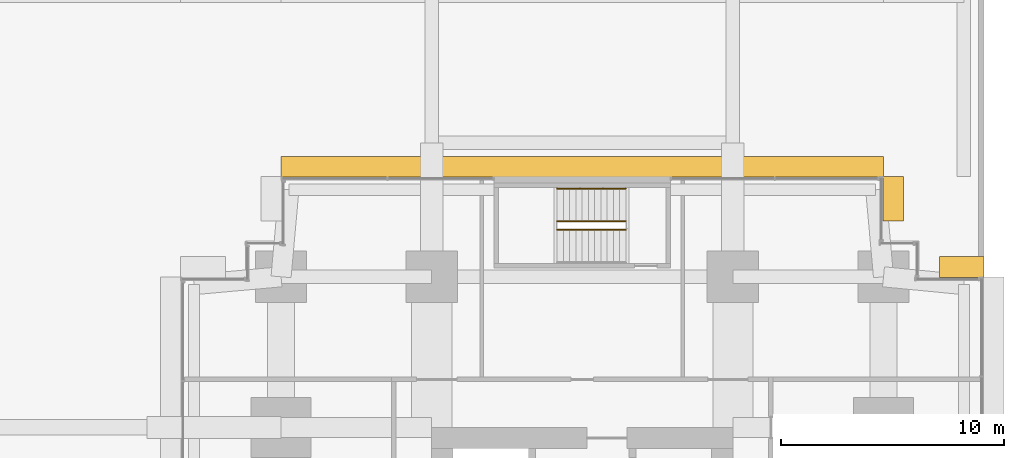
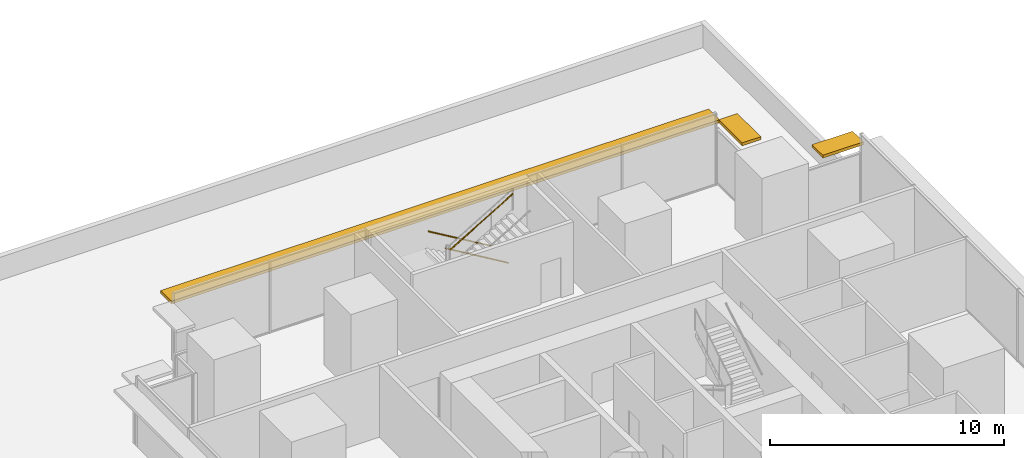
# One storey, part 34 of 34: 3 railings, 3 shading devices.
"""IFC4 building model written with IfcOpenShell, lengths in metres."""

from ifc_helpers import new_model, si_unit, direction, frame, origin, origin_2d, place, context, subcontext, project, spatial, rectangle, circle, extrude, material, layer, layer_set, type_object, element, save


model = new_model("IFC4")

# Units and contexts
model_context = context("Model", 3, precision=1e-05, world=origin(), true_north=direction((0.0, 1.0)))
body_context = subcontext(model_context, "Body", "Model", "MODEL_VIEW")
ifc_project = project(units=[si_unit("LENGTHUNIT", "METRE"), si_unit("AREAUNIT", "SQUARE_METRE"), si_unit("VOLUMEUNIT", "CUBIC_METRE"), si_unit("PLANEANGLEUNIT", "RADIAN"), si_unit("MASSUNIT", "GRAM", prefix="KILO")], contexts=[model_context])

# Site, building, storey
site_placement = place(None, origin())
site = spatial("IfcSite", under=ifc_project, at=site_placement, CompositionType="ELEMENT")
building_placement = place(site_placement, origin())
building = spatial("IfcBuilding", under=site, at=building_placement, Name="Namib Vertical Campus", CompositionType="ELEMENT")
storey_placement = place(building_placement, frame((0.0, 0.0, 21.0)))
storey = spatial("IfcBuildingStorey", under=building, at=storey_placement, Name="L04", CompositionType="ELEMENT", Elevation=21.0)

# Railings
ifc_material_1 = material(Name="Steel handrail", Category="steel")
railing_type = type_object("IfcRailingType", Name="Handrail 900", PredefinedType="HANDRAIL", material=ifc_material_1)
railing_1_placement = place(storey_placement, frame((82.949951171875, 39.949951171875, 0.166748046875)))
element("IfcRailing", 1, at=railing_1_placement, inside=storey, type_object=railing_type, Name="Handrail HR1 B-S3 L04 1", PredefinedType="HANDRAIL", context=body_context, shape_type="SweptSolid", body=[
    extrude(circle(Radius=0.02392578125, at=origin_2d()), frame((0.0, 0.0, 0.8759765625), z_axis=(-0.859290745958, 0.0, 0.51148745235), x_axis=(0.0, -1.0, 0.0)), (0.0, 0.0, 1.0), 3.584228515625),
    extrude(circle(Radius=0.008056640625, at=origin_2d()), frame((0.0, 0.0, 0.8759765625), z_axis=(0.0, 1.0, 0.0), x_axis=(0.0, 0.0, 1.0)), (0.0, 0.0, 1.0), 0.050048828125),
    extrude(circle(Radius=0.008056640625, at=origin_2d()), frame((-1.026611328125, 0.0, 1.48681640625), z_axis=(0.0, 1.0, 0.0), x_axis=(0.0, 0.0, 1.0)), (0.0, 0.0, 1.0), 0.050048828125),
    extrude(circle(Radius=0.008056640625, at=origin_2d()), frame((-2.05322265625, 0.0, 2.09814453125), z_axis=(0.0, 1.0, 0.0), x_axis=(0.0, 0.0, 1.0)), (0.0, 0.0, 1.0), 0.050048828125),
    extrude(circle(Radius=0.008056640625, at=origin_2d()), frame((-3.079833984375, 0.0, 2.708984375), z_axis=(0.0, 1.0, 0.0), x_axis=(0.0, 0.0, 1.0)), (0.0, 0.0, 1.0), 0.050048828125),
])
railing_2_placement = place(storey_placement, frame((82.949951171875, 38.5, 0.166748046875)))
element("IfcRailing", 2, at=railing_2_placement, inside=storey, type_object=railing_type, Name="Handrail HR1 B-S3 L04 1 at the well", PredefinedType="HANDRAIL", context=body_context, shape_type="SweptSolid", body=[
    extrude(circle(Radius=0.02392578125, at=origin_2d()), frame((0.0, 0.0, 0.8759765625), z_axis=(-0.859290745958, 0.0, 0.51148745235), x_axis=(0.0, -1.0, 0.0)), (0.0, 0.0, 1.0), 3.584228515625),
    extrude(circle(Radius=0.008056640625, at=origin_2d()), frame((0.0, 0.0, 0.8759765625), z_axis=(0.0, -1.0, 0.0), x_axis=(0.0, 0.0, 1.0)), (0.0, 0.0, 1.0), 0.0400390625),
    extrude(circle(Radius=0.008056640625, at=origin_2d()), frame((-1.026611328125, 0.0, 1.48681640625), z_axis=(0.0, -1.0, 0.0), x_axis=(0.0, 0.0, 1.0)), (0.0, 0.0, 1.0), 0.0400390625),
    extrude(circle(Radius=0.008056640625, at=origin_2d()), frame((-2.05322265625, 0.0, 2.09814453125), z_axis=(0.0, -1.0, 0.0), x_axis=(0.0, 0.0, 1.0)), (0.0, 0.0, 1.0), 0.0400390625),
    extrude(circle(Radius=0.008056640625, at=origin_2d()), frame((-3.079833984375, 0.0, 2.708984375), z_axis=(0.0, -1.0, 0.0), x_axis=(0.0, 0.0, 1.0)), (0.0, 0.0, 1.0), 0.0400390625),
])
railing_3_placement = place(storey_placement, frame((79.8701171875, 38.10009765625, 2.166748046875)))
element("IfcRailing", 3, at=railing_3_placement, inside=storey, type_object=railing_type, Name="Handrail HR1 B-S3 L04 2 at the well", PredefinedType="HANDRAIL", context=body_context, shape_type="SweptSolid", body=[
    extrude(circle(Radius=0.02392578125, at=origin_2d()), frame((0.0, 0.0, 0.8759765625), z_axis=(0.859290745958, 0.0, 0.51148745235), x_axis=(0.0, 1.0, 0.0)), (0.0, 0.0, 1.0), 3.584228515625),
    extrude(circle(Radius=0.008056640625, at=origin_2d()), frame((0.0, 0.0, 0.8759765625), z_axis=(0.0, 1.0, 0.0), x_axis=(0.0, 0.0, 1.0)), (0.0, 0.0, 1.0), 0.0400390625),
    extrude(circle(Radius=0.008056640625, at=origin_2d()), frame((1.026611328125, 0.0, 1.48681640625), z_axis=(0.0, 1.0, 0.0), x_axis=(0.0, 0.0, 1.0)), (0.0, 0.0, 1.0), 0.0400390625),
    extrude(circle(Radius=0.008056640625, at=origin_2d()), frame((2.05322265625, 0.0, 2.09814453125), z_axis=(0.0, 1.0, 0.0), x_axis=(0.0, 0.0, 1.0)), (0.0, 0.0, 1.0), 0.0400390625),
    extrude(circle(Radius=0.008056640625, at=origin_2d()), frame((3.079833984375, 0.0, 2.708984375), z_axis=(0.0, 1.0, 0.0), x_axis=(0.0, 0.0, 1.0)), (0.0, 0.0, 1.0), 0.0400390625),
])

# Shading devices
ifc_material_2 = material(Name="Concrete C40/50 precast", Category="concrete")
ifc_layer = layer(ifc_material_2, 0.14990234375)
ifc_layer_set = layer_set([ifc_layer], Name="Concrete C40/50 precast")
shading_device_type = type_object("IfcShadingDeviceType", Name="Sunshade hood 900", PredefinedType="SHUTTER", material=ifc_layer_set)
for number, where, z_axis, x_axis, name in (
    (4, (98.0, 36.43994140625, 3.10009765625), (0.0, 0.0, 1.0), (-1.0, 0.0, 0.0), "Sunshade SH1 L04 7"),
    (5, (94.93994140625, 39.5, 3.10009765625), (0.0, 0.0, 1.0), (0.0, 1.0, 0.0), "Sunshade SH1 L04 10"),
):
    element("IfcShadingDevice", number, at=place(storey_placement, frame(where, z_axis=z_axis, x_axis=x_axis)), inside=storey, type_object=shading_device_type, Name=name, PredefinedType="SHUTTER", context=body_context, shape_type="SweptSolid", body=[
        extrude(rectangle(XDim=2.0, YDim=0.919921875, at=origin_2d()), origin(), (0.0, 0.0, 1.0), 0.14990234375),
    ])
shading_device_placement = place(storey_placement, frame((81.0, 40.93994140625, 3.10009765625), z_axis=(0.0, 0.0, 1.0), x_axis=(-1.0, 0.0, 0.0)))
element("IfcShadingDevice", 6, at=shading_device_placement, inside=storey, type_object=shading_device_type, Name="Sunshade SH1 L04 11", PredefinedType="SHUTTER", context=body_context, shape_type="SweptSolid", body=[
    extrude(rectangle(XDim=27.0, YDim=0.919921875, at=origin_2d()), origin(), (0.0, 0.0, 1.0), 0.14990234375),
])

save(model, "model.ifc")
